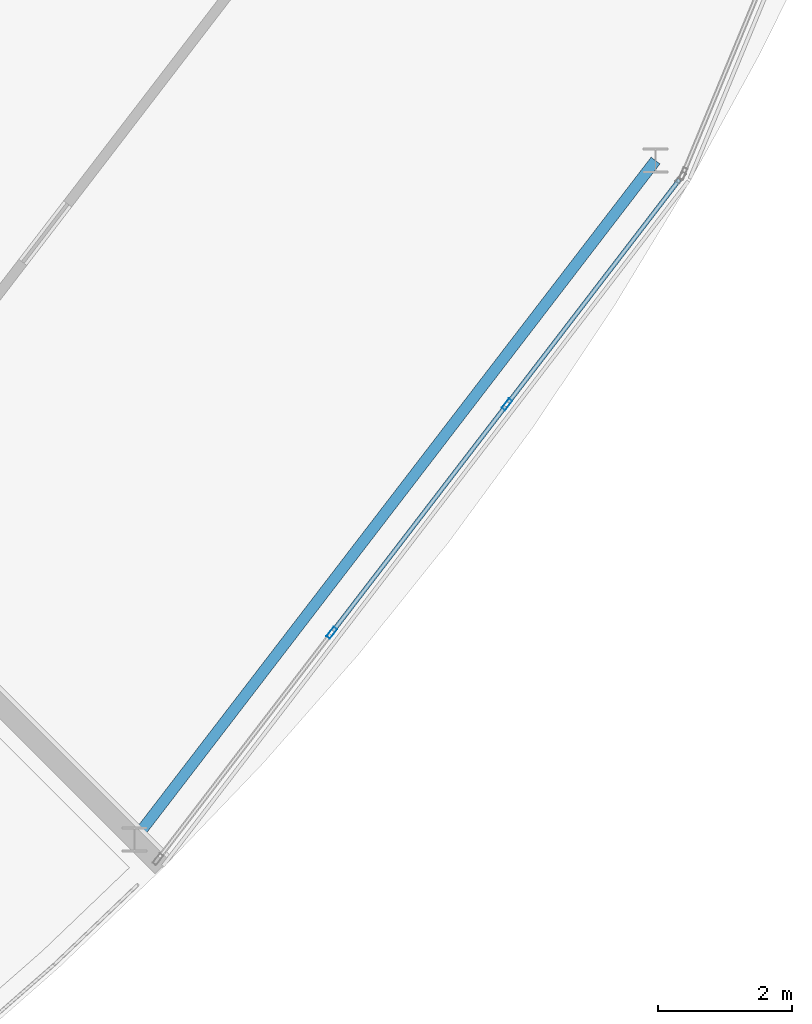
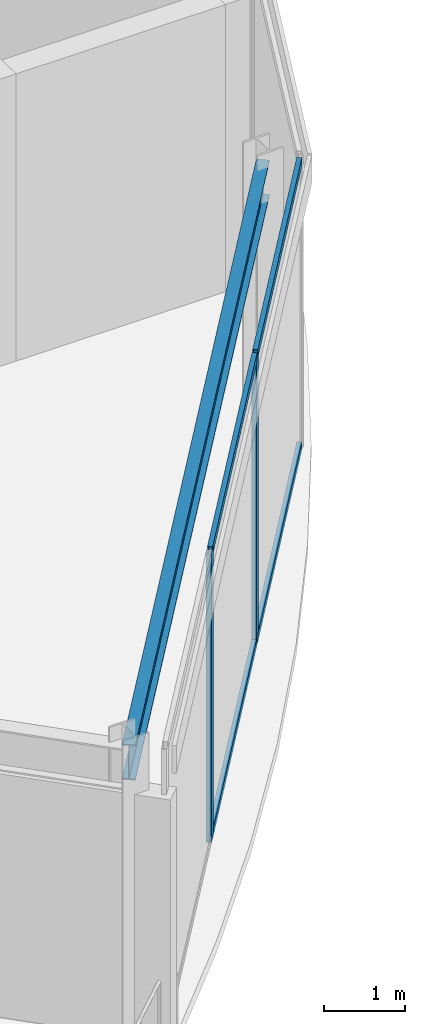
# One storey, part 43 of 157: 6 members, 1 beam, 1 element without a shape of its own.
"""IFC4 building model written with IfcOpenShell, lengths in metres."""

from ifc_helpers import new_model, si_unit, direction, frame, origin, origin_2d, place, context, subcontext, project, spatial, hollow_rectangle, i_section, extrude, material, material_profile, profile_set, type_object, element, aggregate, save


model = new_model("IFC4")

# Units and contexts
model_context = context("Model", 3, precision=1e-05, world=origin(), true_north=direction((0.0, 1.0)))
body_context = subcontext(model_context, "Body", "Model", "MODEL_VIEW")
ifc_project = project(units=[si_unit("LENGTHUNIT", "METRE"), si_unit("AREAUNIT", "SQUARE_METRE"), si_unit("VOLUMEUNIT", "CUBIC_METRE"), si_unit("PLANEANGLEUNIT", "RADIAN"), si_unit("MASSUNIT", "GRAM", prefix="KILO")], contexts=[model_context])

# Site, building, storey
site_placement = place(None, origin())
site = spatial("IfcSite", under=ifc_project, at=site_placement, CompositionType="ELEMENT")
building_placement = place(site_placement, origin())
building = spatial("IfcBuilding", under=site, at=building_placement, Name="Almandine Court Research Institute", CompositionType="ELEMENT")
storey_placement = place(building_placement, frame((0.0, 0.0, 5.25)))
storey = spatial("IfcBuildingStorey", under=building, at=storey_placement, Name="L01", CompositionType="ELEMENT", Elevation=5.25)

# Beam
ifc_material_1 = material(Name="Steel ASTM A992 Grade 50", Category="steel")
ifc_material_profile_1 = material_profile(ifc_material_1, i_section(OverallWidth=0.166015625, OverallDepth=0.534912109375, WebThickness=0.010009765625, FlangeThickness=0.01708984375, at=origin_2d()), Name="W530x85")
ifc_profile_set_1 = profile_set([ifc_material_profile_1], Name="Steel ASTM A992 Grade 50")
beam_type = type_object("IfcBeamType", Name="Beam-G-05-E", PredefinedType="SPANDREL", material=ifc_profile_set_1)
beam_placement = place(storey_placement, frame((121.577880859375, 21.422119140625, 4.054931640625), z_axis=(0.608751886289, 0.793360662587, 0.0), x_axis=(-0.793360662587, 0.608751886289, 0.0)))
element("IfcBeam", 1, at=beam_placement, inside=storey, type_object=beam_type, Name="L01 Drum OUT Ring Beam 21", PredefinedType="SPANDREL", context=body_context, shape_type="SweptSolid", body=[
    extrude(i_section(OverallWidth=0.166015625, OverallDepth=0.534912109375, WebThickness=0.010009765625, FlangeThickness=0.01708984375, at=origin_2d()), origin(), (0.0, 0.0, 1.0), 12.765869140625),
])

# Curtain wall, members
ifc_material_2 = material(Name="Unitised Curtain Wall Framing and Solar Glazing", Category="glass")
curtain_wall_type = type_object("IfcCurtainWallType", Name="CW-CWJ-19", PredefinedType="USERDEFINED", material=ifc_material_2)
curtain_wall_placement = place(storey_placement, origin())
curtain_wall = element("IfcCurtainWall", 2, at=curtain_wall_placement, inside=storey, type_object=curtain_wall_type, Name="L01 Stacked-Ring Drum Outer Solar Jali Screen 21", ObjectType="SOLAR JALI SCREEN", PredefinedType="USERDEFINED")
ifc_material_3 = material(Name="Anodised Aluminium AW-6063-T6", Category="aluminium")
ifc_material_profile_2 = material_profile(ifc_material_3, hollow_rectangle(XDim=0.06494140625, YDim=0.179931640625, WallThickness=0.00390625, at=origin_2d()), Name="ALU RHS 65x180x4")
ifc_profile_set_2 = profile_set([ifc_material_profile_2], Name="Anodised Aluminium AW-6063-T6")
member_type_1 = type_object("IfcMemberType", Name="CWMul-65x180", PredefinedType="MULLION", material=ifc_profile_set_2)
member_1_placement = place(storey_placement, frame((127.132080078125, 27.911376953125, 0.0), z_axis=(0.0, 0.0, 1.0), x_axis=(0.793382586046, -0.608723313303, 0.0)))
member_1 = element("IfcMember", 3, at=member_1_placement, type_object=member_type_1, Name="CWJ-19 mullion 2", PredefinedType="MULLION", context=body_context, shape_type="SweptSolid", body=[
    extrude(hollow_rectangle(XDim=0.06494140625, YDim=0.179931640625, WallThickness=0.00390625, at=origin_2d()), origin(), (0.0, 0.0, 1.0), 4.3701171875),
])
member_2_placement = place(storey_placement, frame((124.51904296875, 24.505615234375, 0.0), z_axis=(0.0, 0.0, 1.0), x_axis=(0.793382586046, -0.608723313303, 0.0)))
member_2 = element("IfcMember", 4, at=member_2_placement, type_object=member_type_1, Name="CWJ-19 mullion 3", PredefinedType="MULLION", context=body_context, shape_type="SweptSolid", body=[
    extrude(hollow_rectangle(XDim=0.06494140625, YDim=0.179931640625, WallThickness=0.00390625, at=origin_2d()), origin(), (0.0, 0.0, 1.0), 4.3701171875),
])
ifc_material_profile_3 = material_profile(ifc_material_3, hollow_rectangle(XDim=0.06494140625, YDim=0.1298828125, WallThickness=0.00390625, at=origin_2d()), Name="ALU RHS 65x130x4")
ifc_profile_set_3 = profile_set([ifc_material_profile_3], Name="Anodised Aluminium AW-6063-T6")
member_type_2 = type_object("IfcMemberType", Name="CWTrn-65x130", PredefinedType="NOTDEFINED", material=ifc_profile_set_3)
member_3_placement = place(storey_placement, frame((129.705322265625, 31.265380859375, 0.032470703125), z_axis=(-0.608689308041, -0.793408675449, 0.0), x_axis=(0.793408675449, -0.608689308041, 0.0)))
member_3 = element("IfcMember", 5, at=member_3_placement, type_object=member_type_2, Name="CWJ-19 transom 1.1", ObjectType="TRANSOM", PredefinedType="USERDEFINED", context=body_context, shape_type="SweptSolid", body=[
    extrude(hollow_rectangle(XDim=0.06494140625, YDim=0.1298828125, WallThickness=0.00390625, at=origin_2d()), origin(), (0.0, 0.0, 1.0), 4.195068359375),
])
member_4_placement = place(storey_placement, frame((129.705322265625, 31.265380859375, 4.33740234375), z_axis=(-0.608689308041, -0.793408675449, 0.0), x_axis=(0.793408675449, -0.608689308041, 0.0)))
member_4 = element("IfcMember", 6, at=member_4_placement, type_object=member_type_2, Name="CWJ-19 transom 1.2", ObjectType="TRANSOM", PredefinedType="USERDEFINED", context=body_context, shape_type="SweptSolid", body=[
    extrude(hollow_rectangle(XDim=0.06494140625, YDim=0.1298828125, WallThickness=0.00390625, at=origin_2d()), origin(), (0.0, 0.0, 1.0), 4.195068359375),
])
member_5_placement = place(storey_placement, frame((127.1123046875, 27.885498046875, 0.032470703125), z_axis=(-0.608741867566, -0.793368349931, 0.0), x_axis=(0.793368349931, -0.608741867566, 0.0)))
member_5 = element("IfcMember", 7, at=member_5_placement, type_object=member_type_2, Name="CWJ-19 transom 2.1", ObjectType="TRANSOM", PredefinedType="USERDEFINED", context=body_context, shape_type="SweptSolid", body=[
    extrude(hollow_rectangle(XDim=0.06494140625, YDim=0.1298828125, WallThickness=0.00390625, at=origin_2d()), origin(), (0.0, 0.0, 1.0), 4.2275390625),
])
member_6_placement = place(storey_placement, frame((127.1123046875, 27.885498046875, 4.33740234375), z_axis=(-0.608741867566, -0.793368349931, 0.0), x_axis=(0.793368349931, -0.608741867566, 0.0)))
member_6 = element("IfcMember", 8, at=member_6_placement, type_object=member_type_2, Name="CWJ-19 transom 2.2", ObjectType="TRANSOM", PredefinedType="USERDEFINED", context=body_context, shape_type="SweptSolid", body=[
    extrude(hollow_rectangle(XDim=0.06494140625, YDim=0.1298828125, WallThickness=0.00390625, at=origin_2d()), origin(), (0.0, 0.0, 1.0), 4.2275390625),
])
aggregate(curtain_wall, [member_1, member_2, member_3, member_4, member_5, member_6])

save(model, "model.ifc")
